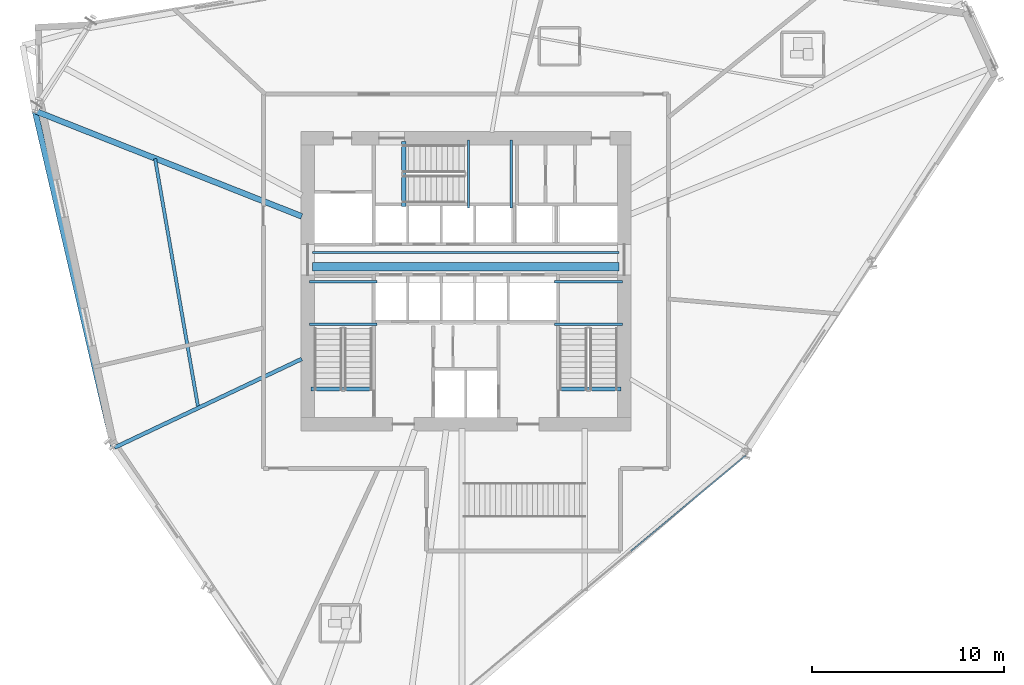
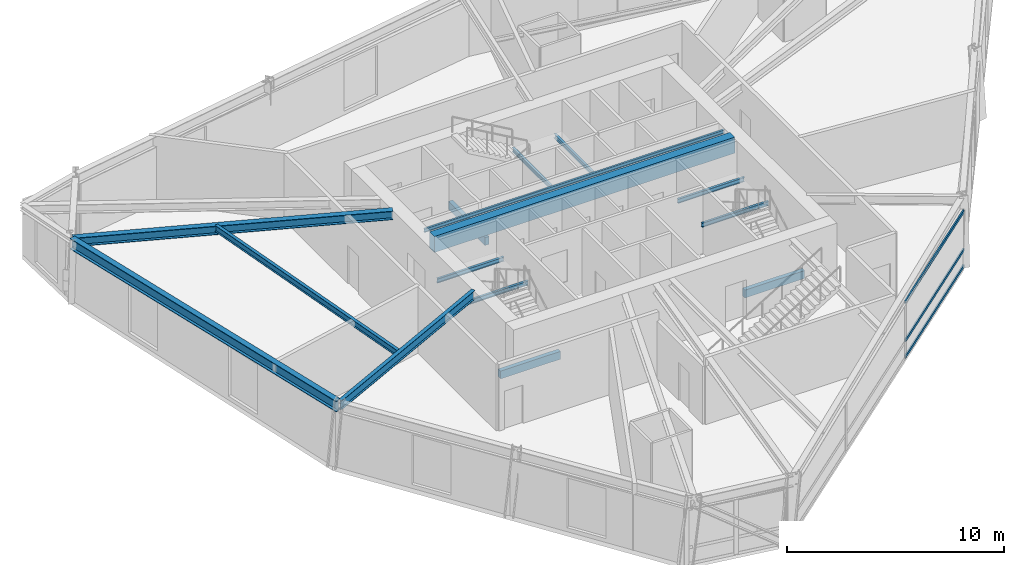
# One storey, part 6 of 16: 15 beams, 3 members, 1 element without a shape of its own.
"""IFC4 building model written with IfcOpenShell, lengths in metres."""

from ifc_helpers import new_model, si_unit, direction, frame, origin, origin_2d, place, context, subcontext, project, spatial, rectangle, hollow_rectangle, i_section, extrude, source, transform, mapped, material, material_profile, profile_set, type_object, element, aggregate, save


model = new_model("IFC4")

# Units and contexts
model_context = context("Model", 3, precision=1e-05, world=origin(), true_north=direction((0.0, 1.0)))
body_context = subcontext(model_context, "Body", "Model", "MODEL_VIEW")
ifc_project = project(units=[si_unit("LENGTHUNIT", "METRE"), si_unit("AREAUNIT", "SQUARE_METRE"), si_unit("VOLUMEUNIT", "CUBIC_METRE"), si_unit("PLANEANGLEUNIT", "RADIAN"), si_unit("MASSUNIT", "GRAM", prefix="KILO")], contexts=[model_context])

# Site, building, storey
site_placement = place(None, origin())
site = spatial("IfcSite", under=ifc_project, at=site_placement, CompositionType="ELEMENT")
building_placement = place(site_placement, origin())
building = spatial("IfcBuilding", under=site, at=building_placement, Name="Olszyna Solenne Hotel", CompositionType="ELEMENT")
storey_placement = place(building_placement, frame((0.0, 0.0, 134.10009765625)))
storey = spatial("IfcBuildingStorey", under=building, at=storey_placement, Name="L35", CompositionType="ELEMENT", Elevation=134.10009765625)

# Beams
ifc_material_1 = material(Name="Steel S355J2", Category="steel")
ifc_material_profile_1 = material_profile(ifc_material_1, i_section(OverallWidth=0.300048828125, OverallDepth=0.60009765625, WebThickness=0.015380859375, FlangeThickness=0.030029296875, at=origin_2d()), Name="HEB 600", Category="load-bearing")
ifc_profile_set_1 = profile_set([ifc_material_profile_1], Name="Steel S355J2")
beam_type_1 = type_object("IfcBeamType", Name="BM-S2", PredefinedType="BEAM", material=ifc_profile_set_1)
shared_shape_1 = source(origin(), body_context, "Body", "SweptSolid", [
    extrude(i_section(OverallWidth=0.300048828125, OverallDepth=0.60009765625, WebThickness=0.015380859375, FlangeThickness=0.030029296875, at=origin_2d()), origin(), (0.0, 0.0, 1.0), 17.922119140625),
])
beam_1_placement = place(storey_placement, frame((15.559814453125, 35.41845703125, 3.449951171875), z_axis=(0.227139181698, -0.97386230656, 0.0), x_axis=(0.97386230656, 0.227139181698, 0.0)))
element("IfcBeam", 1, at=beam_1_placement, inside=storey, type_object=beam_type_1, Name="Perimeter spandrel beam BM-S2 B-L35-1047", PredefinedType="BEAM", context=body_context, shape_type="MappedRepresentation", body=[
    mapped(shared_shape_1, transform((0.0, 0.0, 0.0), x_axis=(1.0, 0.0, 0.0), y_axis=(0.0, 1.0, 0.0), z_axis=(0.0, 0.0, 1.0), scale=1.0)),
])
ifc_material_profile_2 = material_profile(ifc_material_1, i_section(OverallWidth=0.300048828125, OverallDepth=0.489990234375, WebThickness=0.011962890625, FlangeThickness=0.02294921875, at=origin_2d()), Name="HEA 500", Category="load-bearing")
ifc_profile_set_2 = profile_set([ifc_material_profile_2], Name="Steel S355J2")
beam_type_2 = type_object("IfcBeamType", Name="BM-G1", PredefinedType="BEAM", material=ifc_profile_set_2)
shared_shape_2 = source(origin(), body_context, "Body", "SweptSolid", [
    extrude(i_section(OverallWidth=0.300048828125, OverallDepth=0.489990234375, WebThickness=0.011962890625, FlangeThickness=0.02294921875, at=origin_2d()), origin(), (0.0, 0.0, 1.0), 14.887451171875),
])
beam_2_placement = place(storey_placement, frame((15.601806640625, 35.454833984375, 3.5048828125), z_axis=(0.929963197668, -0.367652622708, 0.0), x_axis=(0.367652622708, 0.929963197668, 0.0)))
element("IfcBeam", 2, at=beam_2_placement, inside=storey, type_object=beam_type_2, Name="Radial floor girder BM-G1 B-L35-1058", PredefinedType="BEAM", context=body_context, shape_type="MappedRepresentation", body=[
    mapped(shared_shape_2, transform((0.0, 0.0, 0.0), x_axis=(1.0, 0.0, 0.0), y_axis=(0.0, 1.0, 0.0), z_axis=(0.0, 0.0, 1.0), scale=1.0)),
])
ifc_material_profile_3 = material_profile(ifc_material_1, i_section(OverallWidth=0.199951171875, OverallDepth=0.5, WebThickness=0.01025390625, FlangeThickness=0.01611328125, at=origin_2d()), Name="IPE 500", Category="load-bearing")
ifc_profile_set_3 = profile_set([ifc_material_profile_3], Name="Steel S355J2")
beam_type_3 = type_object("IfcBeamType", Name="BM-F3", PredefinedType="BEAM", material=ifc_profile_set_3)
shared_shape_3 = source(origin(), body_context, "Body", "SweptSolid", [
    extrude(i_section(OverallWidth=0.199951171875, OverallDepth=0.5, WebThickness=0.01025390625, FlangeThickness=0.01611328125, at=origin_2d()), origin(), (0.0, 0.0, 1.0), 10.784912109375),
])
beam_3_placement = place(storey_placement, frame((19.6982421875, 17.93212890625, 3.5), z_axis=(0.903767336802, 0.428024065831, 0.0), x_axis=(-0.428024065831, 0.903767336802, 0.0)))
element("IfcBeam", 3, at=beam_3_placement, inside=storey, type_object=beam_type_3, Name="Radial floor girder BM-F3 B-L35-1059", PredefinedType="BEAM", context=body_context, shape_type="MappedRepresentation", body=[
    mapped(shared_shape_3, transform((0.0, 0.0, 0.0), x_axis=(1.0, 0.0, 0.0), y_axis=(0.0, 1.0, 0.0), z_axis=(0.0, 0.0, 1.0), scale=1.0)),
])
ifc_material_profile_4 = material_profile(ifc_material_1, i_section(OverallWidth=0.169921875, OverallDepth=0.360107421875, WebThickness=0.008056640625, FlangeThickness=0.0126953125, at=origin_2d()), Name="IPE 360", Category="load-bearing")
ifc_profile_set_4 = profile_set([ifc_material_profile_4], Name="Steel S355J2")
beam_type_4 = type_object("IfcBeamType", Name="JS-01", PredefinedType="JOIST", material=ifc_profile_set_4)
shared_shape_4 = source(origin(), body_context, "Body", "SweptSolid", [
    extrude(i_section(OverallWidth=0.169921875, OverallDepth=0.360107421875, WebThickness=0.008056640625, FlangeThickness=0.0126953125, at=origin_2d()), origin(), (0.0, 0.0, 1.0), 13.16259765625),
])
beam_4_placement = place(storey_placement, frame((21.8046875, 32.984375, 3.56982421875), z_axis=(0.170678920525, -0.98532670018, 0.0), x_axis=(0.98532670018, 0.170678920525, 0.0)))
element("IfcBeam", 4, at=beam_4_placement, inside=storey, type_object=beam_type_4, Name="Secondary composite floor joist JS-01 B-L35-1068", PredefinedType="JOIST", context=body_context, shape_type="MappedRepresentation", body=[
    mapped(shared_shape_4, transform((0.0, 0.0, 0.0), x_axis=(1.0, 0.0, 0.0), y_axis=(0.0, 1.0, 0.0), z_axis=(0.0, 0.0, 1.0), scale=1.0)),
])

# Curtain wall, members
ifc_material_2 = material(Name="Anodised bronze aluminium", Category="aluminium")
curtain_wall_type = type_object("IfcCurtainWallType", Name="CW-SYS-6", PredefinedType="NOTDEFINED", material=ifc_material_2)
curtain_wall_placement = place(storey_placement, origin())
curtain_wall = element("IfcCurtainWall", 5, at=curtain_wall_placement, inside=storey, type_object=curtain_wall_type, Name="Unitised curtain wall CW-SYS-6 CW-L35-01", PredefinedType="NOTDEFINED")
ifc_material_profile_5 = material_profile(ifc_material_2, hollow_rectangle(XDim=0.074951171875, YDim=0.159912109375, WallThickness=0.00390625, at=origin_2d()), Name="TRAN 160x75x4", Category="load-bearing")
ifc_profile_set_5 = profile_set([ifc_material_profile_5], Name="Anodised bronze aluminium")
member_type = type_object("IfcMemberType", Name="CW-T1", PredefinedType="USERDEFINED", material=ifc_profile_set_5)
shared_shape_5 = source(origin(), body_context, "Body", "SweptSolid", [
    extrude(hollow_rectangle(XDim=0.074951171875, YDim=0.159912109375, WallThickness=0.00390625, at=origin_2d()), origin(), (0.0, 0.0, 1.0), 7.78857421875),
])
member_1_placement = place(storey_placement, frame((46.59912109375, 12.533203125, 0.037353515625), z_axis=(0.768097937532, 0.640332381158, 0.0), x_axis=(-0.640332381158, 0.768097937532, 0.0)))
member_1 = element("IfcMember", 6, at=member_1_placement, type_object=member_type, Name="Curtain-wall transom CW-T1 CT-L35-01-07", ObjectType="TRANSOM", PredefinedType="USERDEFINED", context=body_context, shape_type="MappedRepresentation", body=[
    mapped(shared_shape_5, transform((0.0, 0.0, 0.0), x_axis=(1.0, 0.0, 0.0), y_axis=(0.0, 1.0, 0.0), z_axis=(0.0, 0.0, 1.0), scale=1.0)),
])
member_2_placement = place(storey_placement, frame((46.59912109375, 12.533203125, 0.949951171875), z_axis=(0.768097937532, 0.640332381158, 0.0), x_axis=(-0.640332381158, 0.768097937532, 0.0)))
member_2 = element("IfcMember", 7, at=member_2_placement, type_object=member_type, Name="Curtain-wall transom CW-T1 CT-L35-01-08", ObjectType="TRANSOM", PredefinedType="USERDEFINED", context=body_context, shape_type="MappedRepresentation", body=[
    mapped(shared_shape_5, transform((0.0, 0.0, 0.0), x_axis=(1.0, 0.0, 0.0), y_axis=(0.0, 1.0, 0.0), z_axis=(0.0, 0.0, 1.0), scale=1.0)),
])
member_3_placement = place(storey_placement, frame((46.59912109375, 12.533203125, 3.1044921875), z_axis=(0.768097937532, 0.640332381158, 0.0), x_axis=(-0.640332381158, 0.768097937532, 0.0)))
member_3 = element("IfcMember", 8, at=member_3_placement, type_object=member_type, Name="Curtain-wall transom CW-T1 CT-L35-01-09", ObjectType="TRANSOM", PredefinedType="USERDEFINED", context=body_context, shape_type="MappedRepresentation", body=[
    mapped(shared_shape_5, transform((0.0, 0.0, 0.0), x_axis=(1.0, 0.0, 0.0), y_axis=(0.0, 1.0, 0.0), z_axis=(0.0, 0.0, 1.0), scale=1.0)),
])
aggregate(curtain_wall, [member_1, member_2, member_3])

# Beams
ifc_material_3 = material(Name="Concrete C50/60", Category="concrete")
ifc_material_profile_6 = material_profile(ifc_material_3, rectangle(XDim=0.449951171875, YDim=0.89990234375, at=origin_2d()), Name="RC 900x450", Category="load-bearing")
ifc_profile_set_6 = profile_set([ifc_material_profile_6], Name="Concrete C50/60")
beam_type_5 = type_object("IfcBeamType", Name="CB-01", PredefinedType="LINTEL", material=ifc_profile_set_6)
shared_shape_6 = source(origin(), body_context, "Body", "SweptSolid", [
    extrude(rectangle(XDim=0.449951171875, YDim=0.89990234375, at=origin_2d()), origin(), (0.0, 0.0, 1.0), 15.9599609375),
])
beam_5_placement = place(storey_placement, frame((30.02001953125, 27.35009765625, 3.2998046875), z_axis=(1.0, 0.0, 0.0), x_axis=(0.0, 1.0, 0.0)))
element("IfcBeam", 9, at=beam_5_placement, inside=storey, type_object=beam_type_5, Name="Core coupling lintel beam CB-01 L35", PredefinedType="LINTEL", context=body_context, shape_type="MappedRepresentation", body=[
    mapped(shared_shape_6, transform((0.0, 0.0, 0.0), x_axis=(1.0, 0.0, 0.0), y_axis=(0.0, 1.0, 0.0), z_axis=(0.0, 0.0, 1.0), scale=1.0)),
])
ifc_material_profile_7 = material_profile(ifc_material_1, i_section(OverallWidth=0.10009765625, OverallDepth=0.199951171875, WebThickness=0.005615234375, FlangeThickness=0.008544921875, at=origin_2d()), Name="IPE 200", Category="load-bearing")
ifc_profile_set_7 = profile_set([ifc_material_profile_7], Name="Steel S355J2")
beam_type_6 = type_object("IfcBeamType", Name="LN-01", PredefinedType="LINTEL", material=ifc_profile_set_7)
shared_shape_7 = source(origin(), body_context, "Body", "SweptSolid", [
    extrude(i_section(OverallWidth=0.10009765625, OverallDepth=0.199951171875, WebThickness=0.005615234375, FlangeThickness=0.008544921875, at=origin_2d()), origin(), (0.0, 0.0, 1.0), 15.9599609375),
])
beam_6_placement = place(storey_placement, frame((30.02001953125, 28.10009765625, 3.5), z_axis=(1.0, 0.0, 0.0), x_axis=(0.0, 1.0, 0.0)))
element("IfcBeam", 10, at=beam_6_placement, inside=storey, type_object=beam_type_6, Name="Opening steel lintel LN-01 L35", PredefinedType="LINTEL", context=body_context, shape_type="MappedRepresentation", body=[
    mapped(shared_shape_7, transform((0.0, 0.0, 0.0), x_axis=(1.0, 0.0, 0.0), y_axis=(0.0, 1.0, 0.0), z_axis=(0.0, 0.0, 1.0), scale=1.0)),
])
ifc_material_profile_8 = material_profile(ifc_material_1, i_section(OverallWidth=0.1201171875, OverallDepth=0.239990234375, WebThickness=0.006103515625, FlangeThickness=0.009765625, at=origin_2d()), Name="IPE 240", Category="load-bearing")
ifc_profile_set_8 = profile_set([ifc_material_profile_8], Name="Steel S355J2")
beam_type_7 = type_object("IfcBeamType", Name="JS-03", PredefinedType="JOIST", material=ifc_profile_set_8)
shared_shape_8 = source(origin(), body_context, "Body", "SweptSolid", [
    extrude(i_section(OverallWidth=0.1201171875, OverallDepth=0.239990234375, WebThickness=0.006103515625, FlangeThickness=0.009765625, at=origin_2d()), origin(), (0.0, 0.0, 1.0), 3.539794921875),
])
for number, where, z_axis, x_axis, name in (
    (11, (33.3798828125, 24.360107421875, 1.6748046875), (-1.0, 0.0, 0.0), (0.0, -1.0, 0.0), "Stair landing support beam JS-03 SLB-ST1-0075"),
    (12, (33.3798828125, 26.580078125, 1.6748046875), (-1.0, 0.0, 0.0), (0.0, -1.0, 0.0), "Stair landing support beam JS-03 SLB-ST1-0076"),
    (13, (46.159912109375, 24.360107421875, 1.6748046875), (-1.0, 0.0, 0.0), (0.0, -1.0, 0.0), "Stair landing support beam JS-03 SLB-ST2-0315"),
    (14, (46.159912109375, 26.580078125, 1.6748046875), (-1.0, 0.0, 0.0), (0.0, -1.0, 0.0), "Stair landing support beam JS-03 SLB-ST2-0316"),
):
    element("IfcBeam", number, at=place(storey_placement, frame(where, z_axis=z_axis, x_axis=x_axis)), inside=storey, type_object=beam_type_7, Name=name, PredefinedType="JOIST", context=body_context, shape_type="MappedRepresentation", body=[
        mapped(shared_shape_8, transform((0.0, 0.0, 0.0), x_axis=(1.0, 0.0, 0.0), y_axis=(0.0, 1.0, 0.0), z_axis=(0.0, 0.0, 1.0), scale=1.0)),
    ])
ifc_material_profile_9 = material_profile(ifc_material_3, rectangle(XDim=0.219970703125, YDim=0.43994140625, at=origin_2d()), Name="RC 220x440", Category="load-bearing")
ifc_profile_set_9 = profile_set([ifc_material_profile_9], Name="Concrete C50/60")
beam_type_8 = type_object("IfcBeamType", Name="BM-ST1", PredefinedType="BEAM", material=ifc_profile_set_9)
shared_shape_9 = source(origin(), body_context, "Body", "SweptSolid", [
    extrude(rectangle(XDim=0.219970703125, YDim=0.43994140625, at=origin_2d()), origin(), (0.0, 0.0, 1.0), 3.18017578125),
])
for number, where, z_axis, x_axis, name in (
    (15, (33.10009765625, 20.97998046875, -0.205078125), (-1.0, 0.0, 0.0), (0.0, -1.0, 0.0), "Concrete stair trimmer beam BM-ST1 SHB-ST1-0197"),
    (16, (46.080078125, 20.97998046875, -0.205078125), (-1.0, 0.0, 0.0), (0.0, -1.0, 0.0), "Concrete stair trimmer beam BM-ST1 SHB-ST2-0437"),
):
    element("IfcBeam", number, at=place(storey_placement, frame(where, z_axis=z_axis, x_axis=x_axis)), inside=storey, type_object=beam_type_8, Name=name, PredefinedType="BEAM", context=body_context, shape_type="MappedRepresentation", body=[
        mapped(shared_shape_9, transform((0.0, 0.0, 0.0), x_axis=(1.0, 0.0, 0.0), y_axis=(0.0, 1.0, 0.0), z_axis=(0.0, 0.0, 1.0), scale=1.0)),
    ])
shared_shape_10 = source(origin(), body_context, "Body", "SweptSolid", [
    extrude(i_section(OverallWidth=0.1201171875, OverallDepth=0.239990234375, WebThickness=0.006103515625, FlangeThickness=0.009765625, at=origin_2d()), origin(), (0.0, 0.0, 1.0), 3.5400390625),
])
for number, where, z_axis, x_axis, name in (
    (17, (38.139892578125, 30.419921875, 1.6748046875), (0.0, 1.0, 0.0), (-1.0, 0.0, 0.0), "Stair landing support beam JS-03 SLB-ST3-0555"),
    (18, (40.360107421875, 30.419921875, 1.6748046875), (0.0, 1.0, 0.0), (-1.0, 0.0, 0.0), "Stair landing support beam JS-03 SLB-ST3-0556"),
):
    element("IfcBeam", number, at=place(storey_placement, frame(where, z_axis=z_axis, x_axis=x_axis)), inside=storey, type_object=beam_type_7, Name=name, PredefinedType="JOIST", context=body_context, shape_type="MappedRepresentation", body=[
        mapped(shared_shape_10, transform((0.0, 0.0, 0.0), x_axis=(1.0, 0.0, 0.0), y_axis=(0.0, 1.0, 0.0), z_axis=(0.0, 0.0, 1.0), scale=1.0)),
    ])
shared_shape_11 = source(origin(), body_context, "Body", "SweptSolid", [
    extrude(rectangle(XDim=0.219970703125, YDim=0.43994140625, at=origin_2d()), origin(), (0.0, 0.0, 1.0), 3.3798828125),
])
beam_7_placement = place(storey_placement, frame((34.760009765625, 30.5, -0.205078125), z_axis=(0.0, 1.0, 0.0), x_axis=(-1.0, 0.0, 0.0)))
element("IfcBeam", 19, at=beam_7_placement, inside=storey, type_object=beam_type_8, Name="Concrete stair trimmer beam BM-ST1 SHB-ST3-0675", PredefinedType="BEAM", context=body_context, shape_type="MappedRepresentation", body=[
    mapped(shared_shape_11, transform((0.0, 0.0, 0.0), x_axis=(1.0, 0.0, 0.0), y_axis=(0.0, 1.0, 0.0), z_axis=(0.0, 0.0, 1.0), scale=1.0)),
])

save(model, "model.ifc")
